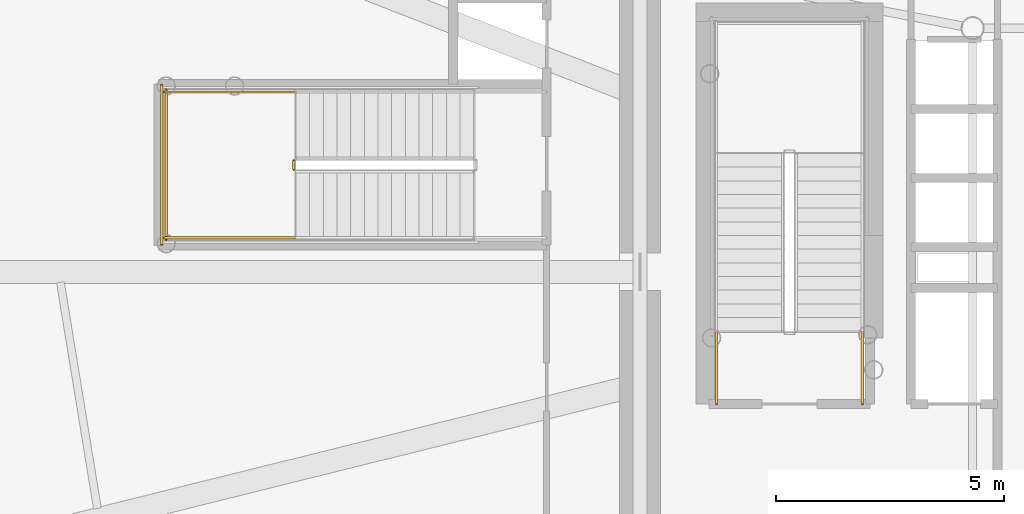
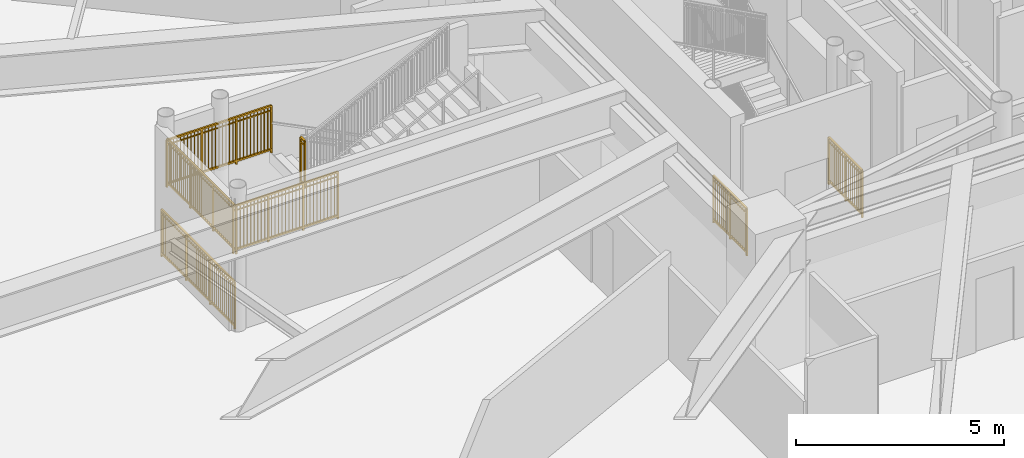
# One storey, part 18 of 27: 7 railings.
"""IFC4 building model written with IfcOpenShell, lengths in metres."""

from ifc_helpers import new_model, si_unit, direction, frame, origin, origin_2d, place, context, subcontext, project, spatial, rectangle, extrude, source, transform, mapped, material, type_object, element, save


model = new_model("IFC4")

# Units and contexts
model_context = context("Model", 3, precision=1e-05, world=origin(), true_north=direction((0.0, 1.0)))
body_context = subcontext(model_context, "Body", "Model", "MODEL_VIEW")
ifc_project = project(units=[si_unit("LENGTHUNIT", "METRE"), si_unit("AREAUNIT", "SQUARE_METRE"), si_unit("VOLUMEUNIT", "CUBIC_METRE"), si_unit("PLANEANGLEUNIT", "RADIAN"), si_unit("MASSUNIT", "GRAM", prefix="KILO")], contexts=[model_context])

# Site, building, storey
site_placement = place(None, origin())
site = spatial("IfcSite", under=ifc_project, at=site_placement, CompositionType="ELEMENT")
building_placement = place(site_placement, origin())
building = spatial("IfcBuilding", under=site, at=building_placement, Name="Linh Dai School and Residence Tower", CompositionType="ELEMENT")
storey_placement = place(building_placement, frame((0.0, 0.0, 22.800048828125)))
storey = spatial("IfcBuildingStorey", under=building, at=storey_placement, Name="L05", CompositionType="ELEMENT", Elevation=22.800048828125)

# Railings
ifc_material = material(Name="Structural Steel S355JR", Category="steel")
railing_type = type_object("IfcRailingType", Name="RL-ST-GUARD-1400", PredefinedType="GUARDRAIL", material=ifc_material)
shared_shape_1 = source(origin(), body_context, "Body", "SweptSolid", [
    extrude(rectangle(XDim=0.048095703125, YDim=0.048095703125, at=origin_2d()), frame((0.0, 0.0, 1.3759765625), z_axis=(0.0, 1.0, 0.0), x_axis=(-1.0, 0.0, 0.0)), (0.0, 0.0, 1.0), 1.599853515625),
    extrude(rectangle(XDim=0.048095703125, YDim=0.048095703125, at=origin_2d()), frame((0.0, 0.0, 0.10009765625), z_axis=(0.0, 1.0, 0.0), x_axis=(-1.0, 0.0, 0.0)), (0.0, 0.0, 1.0), 1.599853515625),
    extrude(rectangle(XDim=0.030029296875, YDim=0.030029296875, at=origin_2d()), frame((0.0, 0.0, 1.239990234375), z_axis=(0.0, 1.0, 0.0), x_axis=(-1.0, 0.0, 0.0)), (0.0, 0.0, 1.0), 1.599853515625),
    extrude(rectangle(XDim=0.02001953125, YDim=0.02001953125, at=origin_2d()), frame((0.0, 0.093994140625, 0.10009765625)), (0.0, 0.0, 1.0), 1.251708984375),
    extrude(rectangle(XDim=0.02001953125, YDim=0.02001953125, at=origin_2d()), frame((0.0, 0.188232421875, 0.10009765625)), (0.0, 0.0, 1.0), 1.251708984375),
    extrude(rectangle(XDim=0.02001953125, YDim=0.02001953125, at=origin_2d()), frame((0.0, 0.2822265625, 0.10009765625)), (0.0, 0.0, 1.0), 1.251708984375),
    extrude(rectangle(XDim=0.02001953125, YDim=0.02001953125, at=origin_2d()), frame((0.0, 0.37646484375, 0.10009765625)), (0.0, 0.0, 1.0), 1.251708984375),
    extrude(rectangle(XDim=0.02001953125, YDim=0.02001953125, at=origin_2d()), frame((0.0, 0.470458984375, 0.10009765625)), (0.0, 0.0, 1.0), 1.251708984375),
    extrude(rectangle(XDim=0.02001953125, YDim=0.02001953125, at=origin_2d()), frame((0.0, 0.564697265625, 0.10009765625)), (0.0, 0.0, 1.0), 1.251708984375),
    extrude(rectangle(XDim=0.02001953125, YDim=0.02001953125, at=origin_2d()), frame((0.0, 0.65869140625, 0.10009765625)), (0.0, 0.0, 1.0), 1.251708984375),
    extrude(rectangle(XDim=0.02001953125, YDim=0.02001953125, at=origin_2d()), frame((0.0, 0.7529296875, 0.10009765625)), (0.0, 0.0, 1.0), 1.251708984375),
    extrude(rectangle(XDim=0.02001953125, YDim=0.02001953125, at=origin_2d()), frame((0.0, 0.846923828125, 0.10009765625)), (0.0, 0.0, 1.0), 1.251708984375),
    extrude(rectangle(XDim=0.02001953125, YDim=0.02001953125, at=origin_2d()), frame((0.0, 0.941162109375, 0.10009765625)), (0.0, 0.0, 1.0), 1.251708984375),
    extrude(rectangle(XDim=0.02001953125, YDim=0.02001953125, at=origin_2d()), frame((0.0, 1.03515625, 0.10009765625)), (0.0, 0.0, 1.0), 1.251708984375),
    extrude(rectangle(XDim=0.02001953125, YDim=0.02001953125, at=origin_2d()), frame((0.0, 1.12939453125, 0.10009765625)), (0.0, 0.0, 1.0), 1.251708984375),
    extrude(rectangle(XDim=0.02001953125, YDim=0.02001953125, at=origin_2d()), frame((0.0, 1.223388671875, 0.10009765625)), (0.0, 0.0, 1.0), 1.251708984375),
    extrude(rectangle(XDim=0.02001953125, YDim=0.02001953125, at=origin_2d()), frame((0.0, 1.317626953125, 0.10009765625)), (0.0, 0.0, 1.0), 1.251708984375),
    extrude(rectangle(XDim=0.02001953125, YDim=0.02001953125, at=origin_2d()), frame((0.0, 1.41162109375, 0.10009765625)), (0.0, 0.0, 1.0), 1.251708984375),
    extrude(rectangle(XDim=0.02001953125, YDim=0.02001953125, at=origin_2d()), frame((0.0, 1.505859375, 0.10009765625)), (0.0, 0.0, 1.0), 1.251708984375),
    extrude(rectangle(XDim=0.0419921875, YDim=0.0419921875, at=origin_2d()), origin(), (0.0, 0.0, 1.0), 1.3759765625),
    extrude(rectangle(XDim=0.0419921875, YDim=0.0419921875, at=origin_2d()), frame((0.0, 0.7998046875, 0.0)), (0.0, 0.0, 1.0), 1.3759765625),
    extrude(rectangle(XDim=0.0419921875, YDim=0.0419921875, at=origin_2d()), frame((0.0, 1.599853515625, 0.0)), (0.0, 0.0, 1.0), 1.3759765625),
])
for number, where, name in (
    (1, (30.929931640625, 24.10009765625, 0.0), "L05 ST1 stair guard 8"),
    (2, (27.72998046875, 24.10009765625, 0.0), "L05 ST1 stair guard 9"),
):
    element("IfcRailing", number, at=place(storey_placement, frame(where)), inside=storey, type_object=railing_type, Name=name, PredefinedType="GUARDRAIL", context=body_context, shape_type="MappedRepresentation", body=[
        mapped(shared_shape_1, transform((0.0, 0.0, 0.0), x_axis=(1.0, 0.0, 0.0), y_axis=(0.0, 1.0, 0.0), z_axis=(0.0, 0.0, 1.0), scale=1.0)),
    ])
shared_shape_2 = source(origin(), body_context, "Body", "SweptSolid", [
    extrude(rectangle(XDim=0.048095703125, YDim=0.048095703125, at=origin_2d()), frame((0.0, 0.0, 1.3759765625), z_axis=(0.0, -1.0, 0.0), x_axis=(1.0, 0.0, 0.0)), (0.0, 0.0, 1.0), 0.199951171875),
    extrude(rectangle(XDim=0.048095703125, YDim=0.048095703125, at=origin_2d()), frame((0.0, 0.0, 0.10009765625), z_axis=(0.0, -1.0, 0.0), x_axis=(1.0, 0.0, 0.0)), (0.0, 0.0, 1.0), 0.199951171875),
    extrude(rectangle(XDim=0.030029296875, YDim=0.030029296875, at=origin_2d()), frame((0.0, 0.0, 1.239990234375), z_axis=(0.0, -1.0, 0.0), x_axis=(1.0, 0.0, 0.0)), (0.0, 0.0, 1.0), 0.199951171875),
    extrude(rectangle(XDim=0.0419921875, YDim=0.0419921875, at=origin_2d()), origin(), (0.0, 0.0, 1.0), 1.3759765625),
    extrude(rectangle(XDim=0.0419921875, YDim=0.0419921875, at=origin_2d()), frame((0.0, -0.199951171875, 0.0)), (0.0, 0.0, 1.0), 1.3759765625),
])
railing_1_placement = place(storey_placement, frame((18.449951171875, 29.449951171875, 2.099853515625)))
element("IfcRailing", 3, at=railing_1_placement, inside=storey, type_object=railing_type, Name="L05 STS1 stair guard 2", PredefinedType="GUARDRAIL", context=body_context, shape_type="MappedRepresentation", body=[
    mapped(shared_shape_2, transform((0.0, 0.0, 0.0), x_axis=(1.0, 0.0, 0.0), y_axis=(0.0, 1.0, 0.0), z_axis=(0.0, 0.0, 1.0), scale=1.0)),
])
shared_shape_3 = source(origin(), body_context, "Body", "SweptSolid", [
    extrude(rectangle(XDim=0.048095703125, YDim=0.048095703125, at=origin_2d()), frame((0.0, 0.0, 1.3759765625), z_axis=(0.0, -1.0, 0.0), x_axis=(1.0, 0.0, 0.0)), (0.0, 0.0, 1.0), 3.300048828125),
    extrude(rectangle(XDim=0.048095703125, YDim=0.048095703125, at=origin_2d()), frame((0.0, 0.0, 0.10009765625), z_axis=(0.0, -1.0, 0.0), x_axis=(1.0, 0.0, 0.0)), (0.0, 0.0, 1.0), 3.300048828125),
    extrude(rectangle(XDim=0.030029296875, YDim=0.030029296875, at=origin_2d()), frame((0.0, 0.0, 1.239990234375), z_axis=(0.0, -1.0, 0.0), x_axis=(1.0, 0.0, 0.0)), (0.0, 0.0, 1.0), 3.300048828125),
    extrude(rectangle(XDim=0.02001953125, YDim=0.02001953125, at=origin_2d()), frame((0.0, -0.09716796875, 0.10009765625)), (0.0, 0.0, 1.0), 1.251708984375),
    extrude(rectangle(XDim=0.02001953125, YDim=0.02001953125, at=origin_2d()), frame((0.0, -0.194091796875, 0.10009765625)), (0.0, 0.0, 1.0), 1.251708984375),
    extrude(rectangle(XDim=0.02001953125, YDim=0.02001953125, at=origin_2d()), frame((0.0, -0.291259765625, 0.10009765625)), (0.0, 0.0, 1.0), 1.251708984375),
    extrude(rectangle(XDim=0.02001953125, YDim=0.02001953125, at=origin_2d()), frame((0.0, -0.38818359375, 0.10009765625)), (0.0, 0.0, 1.0), 1.251708984375),
    extrude(rectangle(XDim=0.02001953125, YDim=0.02001953125, at=origin_2d()), frame((0.0, -0.4853515625, 0.10009765625)), (0.0, 0.0, 1.0), 1.251708984375),
    extrude(rectangle(XDim=0.02001953125, YDim=0.02001953125, at=origin_2d()), frame((0.0, -0.582275390625, 0.10009765625)), (0.0, 0.0, 1.0), 1.251708984375),
    extrude(rectangle(XDim=0.02001953125, YDim=0.02001953125, at=origin_2d()), frame((0.0, -0.679443359375, 0.10009765625)), (0.0, 0.0, 1.0), 1.251708984375),
    extrude(rectangle(XDim=0.02001953125, YDim=0.02001953125, at=origin_2d()), frame((0.0, -0.7763671875, 0.10009765625)), (0.0, 0.0, 1.0), 1.251708984375),
    extrude(rectangle(XDim=0.02001953125, YDim=0.02001953125, at=origin_2d()), frame((0.0, -0.87353515625, 0.10009765625)), (0.0, 0.0, 1.0), 1.251708984375),
    extrude(rectangle(XDim=0.02001953125, YDim=0.02001953125, at=origin_2d()), frame((0.0, -0.970703125, 0.10009765625)), (0.0, 0.0, 1.0), 1.251708984375),
    extrude(rectangle(XDim=0.02001953125, YDim=0.02001953125, at=origin_2d()), frame((0.0, -1.164794921875, 0.10009765625)), (0.0, 0.0, 1.0), 1.251708984375),
    extrude(rectangle(XDim=0.02001953125, YDim=0.02001953125, at=origin_2d()), frame((0.0, -1.26171875, 0.10009765625)), (0.0, 0.0, 1.0), 1.251708984375),
    extrude(rectangle(XDim=0.02001953125, YDim=0.02001953125, at=origin_2d()), frame((0.0, -1.35888671875, 0.10009765625)), (0.0, 0.0, 1.0), 1.251708984375),
    extrude(rectangle(XDim=0.02001953125, YDim=0.02001953125, at=origin_2d()), frame((0.0, -1.455810546875, 0.10009765625)), (0.0, 0.0, 1.0), 1.251708984375),
    extrude(rectangle(XDim=0.02001953125, YDim=0.02001953125, at=origin_2d()), frame((0.0, -1.552978515625, 0.10009765625)), (0.0, 0.0, 1.0), 1.251708984375),
    extrude(rectangle(XDim=0.02001953125, YDim=0.02001953125, at=origin_2d()), frame((0.0, -1.64990234375, 0.10009765625)), (0.0, 0.0, 1.0), 1.251708984375),
    extrude(rectangle(XDim=0.02001953125, YDim=0.02001953125, at=origin_2d()), frame((0.0, -1.7470703125, 0.10009765625)), (0.0, 0.0, 1.0), 1.251708984375),
    extrude(rectangle(XDim=0.02001953125, YDim=0.02001953125, at=origin_2d()), frame((0.0, -1.84423828125, 0.10009765625)), (0.0, 0.0, 1.0), 1.251708984375),
    extrude(rectangle(XDim=0.02001953125, YDim=0.02001953125, at=origin_2d()), frame((0.0, -1.941162109375, 0.10009765625)), (0.0, 0.0, 1.0), 1.251708984375),
    extrude(rectangle(XDim=0.02001953125, YDim=0.02001953125, at=origin_2d()), frame((0.0, -2.038330078125, 0.10009765625)), (0.0, 0.0, 1.0), 1.251708984375),
    extrude(rectangle(XDim=0.02001953125, YDim=0.02001953125, at=origin_2d()), frame((0.0, -2.13525390625, 0.10009765625)), (0.0, 0.0, 1.0), 1.251708984375),
    extrude(rectangle(XDim=0.02001953125, YDim=0.02001953125, at=origin_2d()), frame((0.0, -2.329345703125, 0.10009765625)), (0.0, 0.0, 1.0), 1.251708984375),
    extrude(rectangle(XDim=0.02001953125, YDim=0.02001953125, at=origin_2d()), frame((0.0, -2.426513671875, 0.10009765625)), (0.0, 0.0, 1.0), 1.251708984375),
    extrude(rectangle(XDim=0.02001953125, YDim=0.02001953125, at=origin_2d()), frame((0.0, -2.523681640625, 0.10009765625)), (0.0, 0.0, 1.0), 1.251708984375),
    extrude(rectangle(XDim=0.02001953125, YDim=0.02001953125, at=origin_2d()), frame((0.0, -2.62060546875, 0.10009765625)), (0.0, 0.0, 1.0), 1.251708984375),
    extrude(rectangle(XDim=0.02001953125, YDim=0.02001953125, at=origin_2d()), frame((0.0, -2.7177734375, 0.10009765625)), (0.0, 0.0, 1.0), 1.251708984375),
    extrude(rectangle(XDim=0.02001953125, YDim=0.02001953125, at=origin_2d()), frame((0.0, -2.814697265625, 0.10009765625)), (0.0, 0.0, 1.0), 1.251708984375),
    extrude(rectangle(XDim=0.02001953125, YDim=0.02001953125, at=origin_2d()), frame((0.0, -2.911865234375, 0.10009765625)), (0.0, 0.0, 1.0), 1.251708984375),
    extrude(rectangle(XDim=0.02001953125, YDim=0.02001953125, at=origin_2d()), frame((0.0, -3.0087890625, 0.10009765625)), (0.0, 0.0, 1.0), 1.251708984375),
    extrude(rectangle(XDim=0.02001953125, YDim=0.02001953125, at=origin_2d()), frame((0.0, -3.10595703125, 0.10009765625)), (0.0, 0.0, 1.0), 1.251708984375),
    extrude(rectangle(XDim=0.02001953125, YDim=0.02001953125, at=origin_2d()), frame((0.0, -3.202880859375, 0.10009765625)), (0.0, 0.0, 1.0), 1.251708984375),
    extrude(rectangle(XDim=0.0419921875, YDim=0.0419921875, at=origin_2d()), origin(), (0.0, 0.0, 1.0), 1.3759765625),
    extrude(rectangle(XDim=0.0419921875, YDim=0.0419921875, at=origin_2d()), frame((0.0, -1.10009765625, 0.0)), (0.0, 0.0, 1.0), 1.3759765625),
    extrude(rectangle(XDim=0.0419921875, YDim=0.0419921875, at=origin_2d()), frame((0.0, -2.199951171875, 0.0)), (0.0, 0.0, 1.0), 1.3759765625),
    extrude(rectangle(XDim=0.0419921875, YDim=0.0419921875, at=origin_2d()), frame((0.0, -3.300048828125, 0.0)), (0.0, 0.0, 1.0), 1.3759765625),
])
railing_2_placement = place(storey_placement, frame((15.64990234375, 31.0, 2.099853515625)))
element("IfcRailing", 4, at=railing_2_placement, inside=storey, type_object=railing_type, Name="L05 STS1 stair guard 5", PredefinedType="GUARDRAIL", context=body_context, shape_type="MappedRepresentation", body=[
    mapped(shared_shape_3, transform((0.0, 0.0, 0.0), x_axis=(1.0, 0.0, 0.0), y_axis=(0.0, 1.0, 0.0), z_axis=(0.0, 0.0, 1.0), scale=1.0)),
])
shared_shape_4 = source(origin(), body_context, "Body", "SweptSolid", [
    extrude(rectangle(XDim=0.048095703125, YDim=0.048095703125, at=origin_2d()), frame((0.0, 0.0, 1.3759765625), z_axis=(-1.0, 0.0, 0.0), x_axis=(0.0, -1.0, 0.0)), (0.0, 0.0, 1.0), 2.89990234375),
    extrude(rectangle(XDim=0.048095703125, YDim=0.048095703125, at=origin_2d()), frame((0.0, 0.0, 0.10009765625), z_axis=(-1.0, 0.0, 0.0), x_axis=(0.0, -1.0, 0.0)), (0.0, 0.0, 1.0), 2.89990234375),
    extrude(rectangle(XDim=0.030029296875, YDim=0.030029296875, at=origin_2d()), frame((0.0, 0.0, 1.239990234375), z_axis=(-1.0, 0.0, 0.0), x_axis=(0.0, -1.0, 0.0)), (0.0, 0.0, 1.0), 2.89990234375),
    extrude(rectangle(XDim=0.02001953125, YDim=0.02001953125, at=origin_2d()), frame((-0.0966796875, 0.0, 0.10009765625)), (0.0, 0.0, 1.0), 1.251708984375),
    extrude(rectangle(XDim=0.02001953125, YDim=0.02001953125, at=origin_2d()), frame((-0.193359375, 0.0, 0.10009765625)), (0.0, 0.0, 1.0), 1.251708984375),
    extrude(rectangle(XDim=0.02001953125, YDim=0.02001953125, at=origin_2d()), frame((-0.2900390625, 0.0, 0.10009765625)), (0.0, 0.0, 1.0), 1.251708984375),
    extrude(rectangle(XDim=0.02001953125, YDim=0.02001953125, at=origin_2d()), frame((-0.38671875, 0.0, 0.10009765625)), (0.0, 0.0, 1.0), 1.251708984375),
    extrude(rectangle(XDim=0.02001953125, YDim=0.02001953125, at=origin_2d()), frame((-0.4833984375, 0.0, 0.10009765625)), (0.0, 0.0, 1.0), 1.251708984375),
    extrude(rectangle(XDim=0.02001953125, YDim=0.02001953125, at=origin_2d()), frame((-0.580078125, 0.0, 0.10009765625)), (0.0, 0.0, 1.0), 1.251708984375),
    extrude(rectangle(XDim=0.02001953125, YDim=0.02001953125, at=origin_2d()), frame((-0.6767578125, 0.0, 0.10009765625)), (0.0, 0.0, 1.0), 1.251708984375),
    extrude(rectangle(XDim=0.02001953125, YDim=0.02001953125, at=origin_2d()), frame((-0.773193359375, 0.0, 0.10009765625)), (0.0, 0.0, 1.0), 1.251708984375),
    extrude(rectangle(XDim=0.02001953125, YDim=0.02001953125, at=origin_2d()), frame((-0.869873046875, 0.0, 0.10009765625)), (0.0, 0.0, 1.0), 1.251708984375),
    extrude(rectangle(XDim=0.02001953125, YDim=0.02001953125, at=origin_2d()), frame((-1.063232421875, 0.0, 0.10009765625)), (0.0, 0.0, 1.0), 1.251708984375),
    extrude(rectangle(XDim=0.02001953125, YDim=0.02001953125, at=origin_2d()), frame((-1.159912109375, 0.0, 0.10009765625)), (0.0, 0.0, 1.0), 1.251708984375),
    extrude(rectangle(XDim=0.02001953125, YDim=0.02001953125, at=origin_2d()), frame((-1.256591796875, 0.0, 0.10009765625)), (0.0, 0.0, 1.0), 1.251708984375),
    extrude(rectangle(XDim=0.02001953125, YDim=0.02001953125, at=origin_2d()), frame((-1.353271484375, 0.0, 0.10009765625)), (0.0, 0.0, 1.0), 1.251708984375),
    extrude(rectangle(XDim=0.02001953125, YDim=0.02001953125, at=origin_2d()), frame((-1.449951171875, 0.0, 0.10009765625)), (0.0, 0.0, 1.0), 1.251708984375),
    extrude(rectangle(XDim=0.02001953125, YDim=0.02001953125, at=origin_2d()), frame((-1.546630859375, 0.0, 0.10009765625)), (0.0, 0.0, 1.0), 1.251708984375),
    extrude(rectangle(XDim=0.02001953125, YDim=0.02001953125, at=origin_2d()), frame((-1.643310546875, 0.0, 0.10009765625)), (0.0, 0.0, 1.0), 1.251708984375),
    extrude(rectangle(XDim=0.02001953125, YDim=0.02001953125, at=origin_2d()), frame((-1.739990234375, 0.0, 0.10009765625)), (0.0, 0.0, 1.0), 1.251708984375),
    extrude(rectangle(XDim=0.02001953125, YDim=0.02001953125, at=origin_2d()), frame((-1.836669921875, 0.0, 0.10009765625)), (0.0, 0.0, 1.0), 1.251708984375),
    extrude(rectangle(XDim=0.02001953125, YDim=0.02001953125, at=origin_2d()), frame((-2.030029296875, 0.0, 0.10009765625)), (0.0, 0.0, 1.0), 1.251708984375),
    extrude(rectangle(XDim=0.02001953125, YDim=0.02001953125, at=origin_2d()), frame((-2.126708984375, 0.0, 0.10009765625)), (0.0, 0.0, 1.0), 1.251708984375),
    extrude(rectangle(XDim=0.02001953125, YDim=0.02001953125, at=origin_2d()), frame((-2.22314453125, 0.0, 0.10009765625)), (0.0, 0.0, 1.0), 1.251708984375),
    extrude(rectangle(XDim=0.02001953125, YDim=0.02001953125, at=origin_2d()), frame((-2.31982421875, 0.0, 0.10009765625)), (0.0, 0.0, 1.0), 1.251708984375),
    extrude(rectangle(XDim=0.02001953125, YDim=0.02001953125, at=origin_2d()), frame((-2.41650390625, 0.0, 0.10009765625)), (0.0, 0.0, 1.0), 1.251708984375),
    extrude(rectangle(XDim=0.02001953125, YDim=0.02001953125, at=origin_2d()), frame((-2.51318359375, 0.0, 0.10009765625)), (0.0, 0.0, 1.0), 1.251708984375),
    extrude(rectangle(XDim=0.02001953125, YDim=0.02001953125, at=origin_2d()), frame((-2.60986328125, 0.0, 0.10009765625)), (0.0, 0.0, 1.0), 1.251708984375),
    extrude(rectangle(XDim=0.02001953125, YDim=0.02001953125, at=origin_2d()), frame((-2.70654296875, 0.0, 0.10009765625)), (0.0, 0.0, 1.0), 1.251708984375),
    extrude(rectangle(XDim=0.02001953125, YDim=0.02001953125, at=origin_2d()), frame((-2.80322265625, 0.0, 0.10009765625)), (0.0, 0.0, 1.0), 1.251708984375),
    extrude(rectangle(XDim=0.0419921875, YDim=0.0419921875, at=origin_2d()), origin(), (0.0, 0.0, 1.0), 1.3759765625),
    extrude(rectangle(XDim=0.0419921875, YDim=0.0419921875, at=origin_2d()), frame((-0.966552734375, 0.0, 0.0)), (0.0, 0.0, 1.0), 1.3759765625),
    extrude(rectangle(XDim=0.0419921875, YDim=0.0419921875, at=origin_2d()), frame((-1.933349609375, 0.0, 0.0)), (0.0, 0.0, 1.0), 1.3759765625),
    extrude(rectangle(XDim=0.0419921875, YDim=0.0419921875, at=origin_2d()), frame((-2.89990234375, 0.0, 0.0)), (0.0, 0.0, 1.0), 1.3759765625),
])
for number, where, name in (
    (5, (18.5, 30.949951171875, 2.099853515625), "L05 STS1 stair guard 3"),
    (6, (18.5, 27.75, 2.099853515625), "L05 STS1 stair guard 4"),
):
    element("IfcRailing", number, at=place(storey_placement, frame(where)), inside=storey, type_object=railing_type, Name=name, PredefinedType="GUARDRAIL", context=body_context, shape_type="MappedRepresentation", body=[
        mapped(shared_shape_4, transform((0.0, 0.0, 0.0), x_axis=(1.0, 0.0, 0.0), y_axis=(0.0, 1.0, 0.0), z_axis=(0.0, 0.0, 1.0), scale=1.0)),
    ])
shared_shape_5 = source(origin(), body_context, "Body", "SweptSolid", [
    extrude(rectangle(XDim=0.048095703125, YDim=0.048095703125, at=origin_2d()), frame((0.0, 0.0, 1.3759765625), z_axis=(0.0, -1.0, 0.0), x_axis=(1.0, 0.0, 0.0)), (0.0, 0.0, 1.0), 3.5),
    extrude(rectangle(XDim=0.048095703125, YDim=0.048095703125, at=origin_2d()), frame((0.0, 0.0, 0.10009765625), z_axis=(0.0, -1.0, 0.0), x_axis=(1.0, 0.0, 0.0)), (0.0, 0.0, 1.0), 3.5),
    extrude(rectangle(XDim=0.030029296875, YDim=0.030029296875, at=origin_2d()), frame((0.0, 0.0, 1.239990234375), z_axis=(0.0, -1.0, 0.0), x_axis=(1.0, 0.0, 0.0)), (0.0, 0.0, 1.0), 3.5),
    extrude(rectangle(XDim=0.02001953125, YDim=0.02001953125, at=origin_2d()), frame((0.0, -0.09716796875, 0.10009765625)), (0.0, 0.0, 1.0), 1.251708984375),
    extrude(rectangle(XDim=0.02001953125, YDim=0.02001953125, at=origin_2d()), frame((0.0, -0.1943359375, 0.10009765625)), (0.0, 0.0, 1.0), 1.251708984375),
    extrude(rectangle(XDim=0.02001953125, YDim=0.02001953125, at=origin_2d()), frame((0.0, -0.291748046875, 0.10009765625)), (0.0, 0.0, 1.0), 1.251708984375),
    extrude(rectangle(XDim=0.02001953125, YDim=0.02001953125, at=origin_2d()), frame((0.0, -0.388916015625, 0.10009765625)), (0.0, 0.0, 1.0), 1.251708984375),
    extrude(rectangle(XDim=0.02001953125, YDim=0.02001953125, at=origin_2d()), frame((0.0, -0.486083984375, 0.10009765625)), (0.0, 0.0, 1.0), 1.251708984375),
    extrude(rectangle(XDim=0.02001953125, YDim=0.02001953125, at=origin_2d()), frame((0.0, -0.583251953125, 0.10009765625)), (0.0, 0.0, 1.0), 1.251708984375),
    extrude(rectangle(XDim=0.02001953125, YDim=0.02001953125, at=origin_2d()), frame((0.0, -0.6806640625, 0.10009765625)), (0.0, 0.0, 1.0), 1.251708984375),
    extrude(rectangle(XDim=0.02001953125, YDim=0.02001953125, at=origin_2d()), frame((0.0, -0.77783203125, 0.10009765625)), (0.0, 0.0, 1.0), 1.251708984375),
    extrude(rectangle(XDim=0.02001953125, YDim=0.02001953125, at=origin_2d()), frame((0.0, -0.875, 0.10009765625)), (0.0, 0.0, 1.0), 1.251708984375),
    extrude(rectangle(XDim=0.02001953125, YDim=0.02001953125, at=origin_2d()), frame((0.0, -0.97216796875, 0.10009765625)), (0.0, 0.0, 1.0), 1.251708984375),
    extrude(rectangle(XDim=0.02001953125, YDim=0.02001953125, at=origin_2d()), frame((0.0, -1.0693359375, 0.10009765625)), (0.0, 0.0, 1.0), 1.251708984375),
    extrude(rectangle(XDim=0.02001953125, YDim=0.02001953125, at=origin_2d()), frame((0.0, -1.263916015625, 0.10009765625)), (0.0, 0.0, 1.0), 1.251708984375),
    extrude(rectangle(XDim=0.02001953125, YDim=0.02001953125, at=origin_2d()), frame((0.0, -1.361083984375, 0.10009765625)), (0.0, 0.0, 1.0), 1.251708984375),
    extrude(rectangle(XDim=0.02001953125, YDim=0.02001953125, at=origin_2d()), frame((0.0, -1.458251953125, 0.10009765625)), (0.0, 0.0, 1.0), 1.251708984375),
    extrude(rectangle(XDim=0.02001953125, YDim=0.02001953125, at=origin_2d()), frame((0.0, -1.5556640625, 0.10009765625)), (0.0, 0.0, 1.0), 1.251708984375),
    extrude(rectangle(XDim=0.02001953125, YDim=0.02001953125, at=origin_2d()), frame((0.0, -1.65283203125, 0.10009765625)), (0.0, 0.0, 1.0), 1.251708984375),
    extrude(rectangle(XDim=0.02001953125, YDim=0.02001953125, at=origin_2d()), frame((0.0, -1.75, 0.10009765625)), (0.0, 0.0, 1.0), 1.251708984375),
    extrude(rectangle(XDim=0.02001953125, YDim=0.02001953125, at=origin_2d()), frame((0.0, -1.84716796875, 0.10009765625)), (0.0, 0.0, 1.0), 1.251708984375),
    extrude(rectangle(XDim=0.02001953125, YDim=0.02001953125, at=origin_2d()), frame((0.0, -1.9443359375, 0.10009765625)), (0.0, 0.0, 1.0), 1.251708984375),
    extrude(rectangle(XDim=0.02001953125, YDim=0.02001953125, at=origin_2d()), frame((0.0, -2.041748046875, 0.10009765625)), (0.0, 0.0, 1.0), 1.251708984375),
    extrude(rectangle(XDim=0.02001953125, YDim=0.02001953125, at=origin_2d()), frame((0.0, -2.138916015625, 0.10009765625)), (0.0, 0.0, 1.0), 1.251708984375),
    extrude(rectangle(XDim=0.02001953125, YDim=0.02001953125, at=origin_2d()), frame((0.0, -2.236083984375, 0.10009765625)), (0.0, 0.0, 1.0), 1.251708984375),
    extrude(rectangle(XDim=0.02001953125, YDim=0.02001953125, at=origin_2d()), frame((0.0, -2.4306640625, 0.10009765625)), (0.0, 0.0, 1.0), 1.251708984375),
    extrude(rectangle(XDim=0.02001953125, YDim=0.02001953125, at=origin_2d()), frame((0.0, -2.52783203125, 0.10009765625)), (0.0, 0.0, 1.0), 1.251708984375),
    extrude(rectangle(XDim=0.02001953125, YDim=0.02001953125, at=origin_2d()), frame((0.0, -2.625, 0.10009765625)), (0.0, 0.0, 1.0), 1.251708984375),
    extrude(rectangle(XDim=0.02001953125, YDim=0.02001953125, at=origin_2d()), frame((0.0, -2.72216796875, 0.10009765625)), (0.0, 0.0, 1.0), 1.251708984375),
    extrude(rectangle(XDim=0.02001953125, YDim=0.02001953125, at=origin_2d()), frame((0.0, -2.8193359375, 0.10009765625)), (0.0, 0.0, 1.0), 1.251708984375),
    extrude(rectangle(XDim=0.02001953125, YDim=0.02001953125, at=origin_2d()), frame((0.0, -2.916748046875, 0.10009765625)), (0.0, 0.0, 1.0), 1.251708984375),
    extrude(rectangle(XDim=0.02001953125, YDim=0.02001953125, at=origin_2d()), frame((0.0, -3.013916015625, 0.10009765625)), (0.0, 0.0, 1.0), 1.251708984375),
    extrude(rectangle(XDim=0.02001953125, YDim=0.02001953125, at=origin_2d()), frame((0.0, -3.111083984375, 0.10009765625)), (0.0, 0.0, 1.0), 1.251708984375),
    extrude(rectangle(XDim=0.02001953125, YDim=0.02001953125, at=origin_2d()), frame((0.0, -3.208251953125, 0.10009765625)), (0.0, 0.0, 1.0), 1.251708984375),
    extrude(rectangle(XDim=0.02001953125, YDim=0.02001953125, at=origin_2d()), frame((0.0, -3.3056640625, 0.10009765625)), (0.0, 0.0, 1.0), 1.251708984375),
    extrude(rectangle(XDim=0.02001953125, YDim=0.02001953125, at=origin_2d()), frame((0.0, -3.40283203125, 0.10009765625)), (0.0, 0.0, 1.0), 1.251708984375),
    extrude(rectangle(XDim=0.0419921875, YDim=0.0419921875, at=origin_2d()), origin(), (0.0, 0.0, 1.0), 1.3759765625),
    extrude(rectangle(XDim=0.0419921875, YDim=0.0419921875, at=origin_2d()), frame((0.0, -1.166748046875, 0.0)), (0.0, 0.0, 1.0), 1.3759765625),
    extrude(rectangle(XDim=0.0419921875, YDim=0.0419921875, at=origin_2d()), frame((0.0, -2.333251953125, 0.0)), (0.0, 0.0, 1.0), 1.3759765625),
    extrude(rectangle(XDim=0.0419921875, YDim=0.0419921875, at=origin_2d()), frame((0.0, -3.5, 0.0)), (0.0, 0.0, 1.0), 1.3759765625),
])
railing_3_placement = place(storey_placement, frame((15.550048828125, 31.10009765625, 0.0)))
element("IfcRailing", 7, at=railing_3_placement, inside=storey, type_object=railing_type, Name="L05 STS1 stair guard 12", PredefinedType="GUARDRAIL", context=body_context, shape_type="MappedRepresentation", body=[
    mapped(shared_shape_5, transform((0.0, 0.0, 0.0), x_axis=(1.0, 0.0, 0.0), y_axis=(0.0, 1.0, 0.0), z_axis=(0.0, 0.0, 1.0), scale=1.0)),
])

save(model, "model.ifc")
